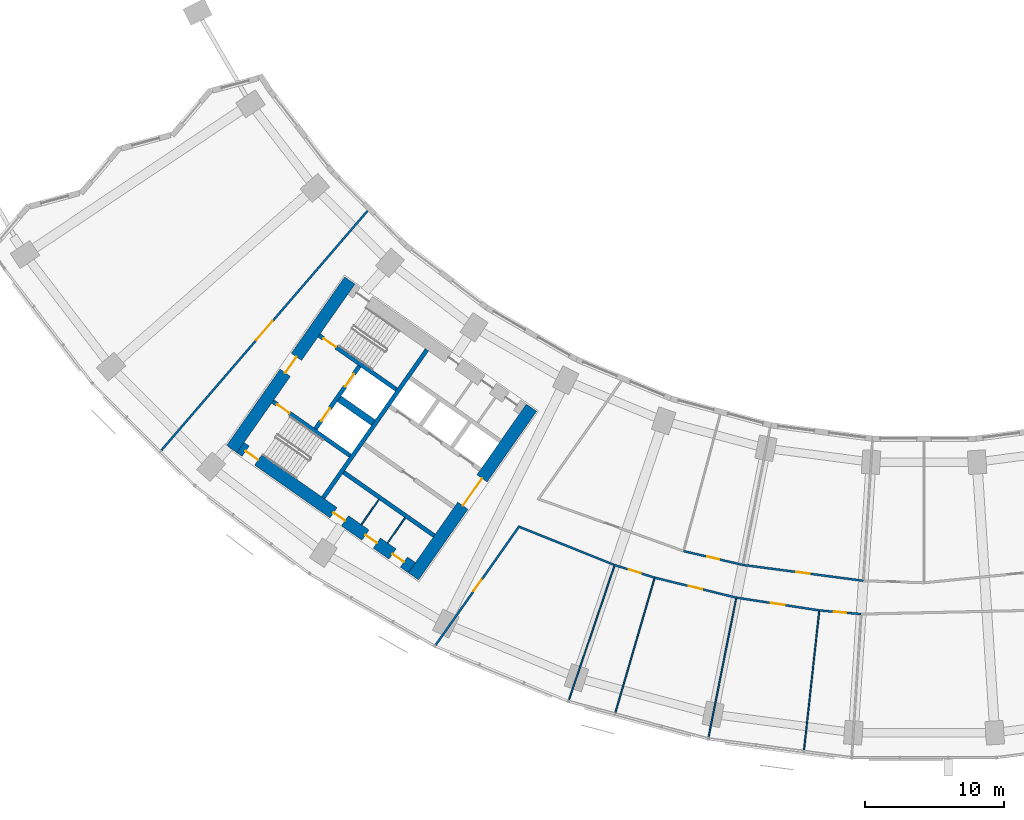
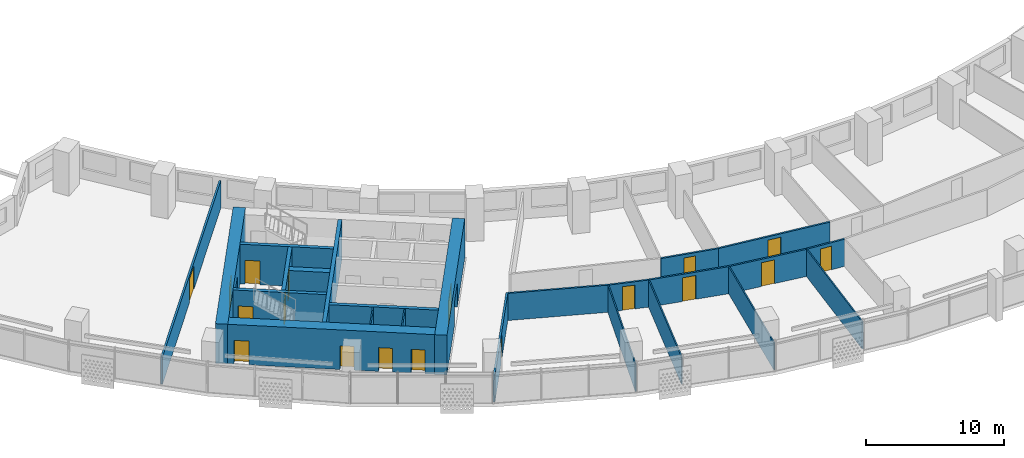
# One storey, part 3 of 29: 24 walls, 18 doors, 18 openings.
"""IFC4 building model written with IfcOpenShell, lengths in metres."""

from ifc_helpers import new_model, si_unit, direction, frame, frame_2d, origin, place, context, subcontext, project, spatial, rectangle, extrude, material, layer, layer_set, type_object, element, fill, save


model = new_model("IFC4")

# Units and contexts
model_context = context("Model", 3, precision=1e-05, world=origin(), true_north=direction((0.0, 1.0)))
body_context = subcontext(model_context, "Body", "Model", "MODEL_VIEW")
ifc_project = project(units=[si_unit("LENGTHUNIT", "METRE"), si_unit("AREAUNIT", "SQUARE_METRE"), si_unit("VOLUMEUNIT", "CUBIC_METRE"), si_unit("PLANEANGLEUNIT", "RADIAN"), si_unit("MASSUNIT", "GRAM", prefix="KILO")], contexts=[model_context])

# Site, building, storey
site_placement = place(None, origin())
site = spatial("IfcSite", under=ifc_project, at=site_placement, CompositionType="ELEMENT")
building_placement = place(site_placement, origin())
building = spatial("IfcBuilding", under=site, at=building_placement, Name="Qamariyya Broadcast Tower", CompositionType="ELEMENT")
storey_placement = place(building_placement, frame((0.0, 0.0, 44.300048828125)))
storey = spatial("IfcBuildingStorey", under=building, at=storey_placement, Name="L07", CompositionType="ELEMENT", Elevation=44.300048828125)

# Wall, opening, door
ifc_material_1 = material(Name="Concrete C70/85", Category="concrete")
ifc_layer_1 = layer(ifc_material_1, 0.89990234375)
ifc_layer_set_1 = layer_set([ifc_layer_1], Name="Core wall 900 mm Concrete C70/85")
wall_type_1 = type_object("IfcWallType", Name="Core wall 900 mm Concrete C70/85", PredefinedType="SHEAR", material=ifc_layer_set_1)
wall_1_placement = place(storey_placement, frame((-36.716796875, -66.3369140625, 0.0), z_axis=(0.0, 0.0, 1.0), x_axis=(0.573577477574, 0.819151315216, 0.0)))
wall_1 = element("IfcWall", 1, at=wall_1_placement, inside=storey, type_object=wall_type_1, Name="k-W-L07-WA", PredefinedType="SHEAR", context=body_context, shape_type="SweptSolid", body=[
    extrude(rectangle(XDim=14.800048828125, YDim=0.89990234375, at=frame_2d((7.39990234375, 0.0))), origin(), (0.0, 0.0, 1.0), 3.5),
])
opening_1_placement = place(wall_1_placement, frame((6.199951171875, 0.0, 0.0)))
opening_1 = element("IfcOpeningElement", 2, at=opening_1_placement, cuts=wall_1, Name="Opening KD3-W1", PredefinedType="OPENING", context=body_context, shape_type="SweptSolid", body=[
    extrude(rectangle(XDim=2.39990234375, YDim=2.10009765625, at=frame_2d((1.199951171875, 1.050048828125))), frame((0.0, 0.4599609375, 0.0), z_axis=(0.0, -1.0, 0.0), x_axis=(1.0, 0.0, 0.0)), (0.0, 0.0, 1.0), 0.919921875),
])
ifc_material_2 = material(Name="Steel fire-resisting door leaf", Category="steel")
door_type_1 = type_object("IfcDoorType", Name="Lift lobby door KD3", OperationType="DOUBLE_DOOR_SINGLE_SWING", PredefinedType="DOOR", material=ifc_material_2)
door_1_placement = place(opening_1_placement, origin())
door_1 = element("IfcDoor", 3, at=door_1_placement, inside=storey, type_object=door_type_1, Name="k-W-L07-WA-D1", OperationType="DOUBLE_DOOR_SINGLE_SWING", OverallHeight=2.10009765625, OverallWidth=2.39990234375, PredefinedType="DOOR", context=body_context, shape_type="SweptSolid", body=[
    extrude(rectangle(XDim=2.39990234375, YDim=2.10009765625, at=frame_2d((1.199951171875, 1.050048828125))), frame((0.0, 0.02490234375, 0.0), z_axis=(0.0, -1.0, 0.0), x_axis=(1.0, 0.0, 0.0)), (0.0, 0.0, 1.0), 0.050048828125),
])
fill(opening_1, door_1)

wall_2_placement = place(storey_placement, frame((-49.778564453125, -57.191162109375, 0.0), z_axis=(0.0, 0.0, 1.0), x_axis=(0.573577477574, 0.819151315216, 0.0)))
wall_2 = element("IfcWall", 4, at=wall_2_placement, inside=storey, type_object=wall_type_1, Name="k-W-L07-WH", PredefinedType="SHEAR", context=body_context, shape_type="SweptSolid", body=[
    extrude(rectangle(XDim=14.800048828125, YDim=0.89990234375, at=frame_2d((7.39990234375, 0.0))), origin(), (0.0, 0.0, 1.0), 3.5),
])
opening_2_placement = place(wall_2_placement, frame((6.699951171875, 0.0, 0.0)))
opening_2 = element("IfcOpeningElement", 5, at=opening_2_placement, cuts=wall_2, Name="Opening KD2-W1", PredefinedType="OPENING", context=body_context, shape_type="SweptSolid", body=[
    extrude(rectangle(XDim=1.39990234375, YDim=2.10009765625, at=frame_2d((0.699951171875, 1.050048828125))), frame((0.0, 0.4599609375, 0.0), z_axis=(0.0, -1.0, 0.0), x_axis=(1.0, 0.0, 0.0)), (0.0, 0.0, 1.0), 0.919921875),
])
door_type_2 = type_object("IfcDoorType", Name="Fire-fighting lobby door KD2", OperationType="DOUBLE_DOOR_SINGLE_SWING", PredefinedType="DOOR", material=ifc_material_2)
door_2_placement = place(opening_2_placement, origin())
door_2 = element("IfcDoor", 6, at=door_2_placement, inside=storey, type_object=door_type_2, Name="k-W-L07-WH-D14", OperationType="DOUBLE_DOOR_SINGLE_SWING", OverallHeight=2.10009765625, OverallWidth=1.39990234375, PredefinedType="DOOR", context=body_context, shape_type="SweptSolid", body=[
    extrude(rectangle(XDim=1.39990234375, YDim=2.10009765625, at=frame_2d((0.699951171875, 1.050048828125))), frame((0.0, 0.02490234375, 0.0), z_axis=(0.0, -1.0, 0.0), x_axis=(1.0, 0.0, 0.0)), (0.0, 0.0, 1.0), 0.050048828125),
])
fill(opening_2, door_2)

# Wall, openings, doors
wall_3_placement = place(storey_placement, frame((-36.827392578125, -65.710205078125, 0.0), z_axis=(0.0, 0.0, 1.0), x_axis=(-0.819153391756, 0.573574511963, 0.0)))
wall_3 = element("IfcWall", 7, at=wall_3_placement, inside=storey, type_object=wall_type_1, Name="k-W-L07-WO", PredefinedType="SHEAR", context=body_context, shape_type="SweptSolid", body=[
    extrude(rectangle(XDim=15.04541015625, YDim=0.89990234375, at=frame_2d((7.522705078125, 0.0))), origin(), (0.0, 0.0, 1.0), 3.5),
])
opening_3_placement = place(wall_3_placement, frame((0.699951171875, 0.0, 0.0)))
opening_3 = element("IfcOpeningElement", 8, at=opening_3_placement, cuts=wall_3, Name="Opening KD6-W3", PredefinedType="OPENING", context=body_context, shape_type="SweptSolid", body=[
    extrude(rectangle(XDim=1.0, YDim=2.10009765625, at=frame_2d((0.5, 1.050048828125))), frame((0.0, 0.4599609375, 0.0), z_axis=(0.0, -1.0, 0.0), x_axis=(1.0, 0.0, 0.0)), (0.0, 0.0, 1.0), 0.919921875),
])
opening_4_placement = place(wall_3_placement, frame((3.074951171875, 0.0, 0.0)))
opening_4 = element("IfcOpeningElement", 9, at=opening_4_placement, cuts=wall_3, Name="Opening KD4-W1", PredefinedType="OPENING", context=body_context, shape_type="SweptSolid", body=[
    extrude(rectangle(XDim=1.0, YDim=2.10009765625, at=frame_2d((0.5, 1.050048828125))), frame((0.0, 0.4599609375, 0.0), z_axis=(0.0, -1.0, 0.0), x_axis=(1.0, 0.0, 0.0)), (0.0, 0.0, 1.0), 0.919921875),
])
opening_5_placement = place(wall_3_placement, frame((5.875, 0.0, 0.0)))
opening_5 = element("IfcOpeningElement", 10, at=opening_5_placement, cuts=wall_3, Name="Opening KD4-W2", PredefinedType="OPENING", context=body_context, shape_type="SweptSolid", body=[
    extrude(rectangle(XDim=1.0, YDim=2.10009765625, at=frame_2d((0.5, 1.050048828125))), frame((0.0, 0.4599609375, 0.0), z_axis=(0.0, -1.0, 0.0), x_axis=(1.0, 0.0, 0.0)), (0.0, 0.0, 1.0), 0.919921875),
])
opening_6_placement = place(wall_3_placement, frame((13.495361328125, 0.0, 0.0)))
opening_6 = element("IfcOpeningElement", 11, at=opening_6_placement, cuts=wall_3, Name="Opening KD1-W3", PredefinedType="OPENING", context=body_context, shape_type="SweptSolid", body=[
    extrude(rectangle(XDim=1.10009765625, YDim=2.10009765625, at=frame_2d((0.550048828125, 1.050048828125))), frame((0.0, 0.4599609375, 0.0), z_axis=(0.0, -1.0, 0.0), x_axis=(1.0, 0.0, 0.0)), (0.0, 0.0, 1.0), 0.919921875),
])
door_type_3 = type_object("IfcDoorType", Name="Core room door KD6", OperationType="SINGLE_SWING_LEFT", PredefinedType="DOOR", material=ifc_material_2)
door_3_placement = place(opening_3_placement, origin())
door_3 = element("IfcDoor", 12, at=door_3_placement, inside=storey, type_object=door_type_3, Name="k-W-L07-WO-D9", OperationType="SINGLE_SWING_RIGHT", OverallHeight=2.10009765625, OverallWidth=1.0, PredefinedType="DOOR", context=body_context, shape_type="SweptSolid", body=[
    extrude(rectangle(XDim=1.0, YDim=2.10009765625, at=frame_2d((0.5, 1.050048828125))), frame((0.0, 0.02490234375, 0.0), z_axis=(0.0, -1.0, 0.0), x_axis=(1.0, 0.0, 0.0)), (0.0, 0.0, 1.0), 0.050048828125),
])
fill(opening_3, door_3)
door_type_4 = type_object("IfcDoorType", Name="Riser and plant door KD4", OperationType="SINGLE_SWING_LEFT", PredefinedType="DOOR", material=ifc_material_2)
door_4_placement = place(opening_4_placement, origin())
door_4 = element("IfcDoor", 13, at=door_4_placement, inside=storey, type_object=door_type_4, Name="k-W-L07-WO-D10", OperationType="SINGLE_SWING_LEFT", OverallHeight=2.10009765625, OverallWidth=1.0, PredefinedType="DOOR", context=body_context, shape_type="SweptSolid", body=[
    extrude(rectangle(XDim=1.0, YDim=2.10009765625, at=frame_2d((0.5, 1.050048828125))), frame((0.0, 0.02490234375, 0.0), z_axis=(0.0, -1.0, 0.0), x_axis=(1.0, 0.0, 0.0)), (0.0, 0.0, 1.0), 0.050048828125),
])
fill(opening_4, door_4)
door_5_placement = place(opening_5_placement, origin())
door_5 = element("IfcDoor", 14, at=door_5_placement, inside=storey, type_object=door_type_4, Name="k-W-L07-WO-D11", OperationType="SINGLE_SWING_RIGHT", OverallHeight=2.10009765625, OverallWidth=1.0, PredefinedType="DOOR", context=body_context, shape_type="SweptSolid", body=[
    extrude(rectangle(XDim=1.0, YDim=2.10009765625, at=frame_2d((0.5, 1.050048828125))), frame((0.0, 0.02490234375, 0.0), z_axis=(0.0, -1.0, 0.0), x_axis=(1.0, 0.0, 0.0)), (0.0, 0.0, 1.0), 0.050048828125),
])
fill(opening_5, door_5)
door_type_5 = type_object("IfcDoorType", Name="Stair door KD1", OperationType="SINGLE_SWING_LEFT", PredefinedType="DOOR", material=ifc_material_2)
door_6_placement = place(opening_6_placement, origin())
door_6 = element("IfcDoor", 15, at=door_6_placement, inside=storey, type_object=door_type_5, Name="k-W-L07-WO-D17", OperationType="SINGLE_SWING_LEFT", OverallHeight=2.10009765625, OverallWidth=1.10009765625, PredefinedType="DOOR", context=body_context, shape_type="SweptSolid", body=[
    extrude(rectangle(XDim=1.10009765625, YDim=2.10009765625, at=frame_2d((0.550048828125, 1.050048828125))), frame((0.0, 0.02490234375, 0.0), z_axis=(0.0, -1.0, 0.0), x_axis=(1.0, 0.0, 0.0)), (0.0, 0.0, 1.0), 0.050048828125),
])
fill(opening_6, door_6)

# Wall, opening, door
ifc_material_3 = material(Name="Gypsum board partition")
ifc_layer_2 = layer(ifc_material_3, 0.14990234375)
ifc_layer_set_2 = layer_set([ifc_layer_2], Name="Corridor partition 150 EI 60")
wall_type_2 = type_object("IfcWallType", Name="Corridor partition 150 EI 60", PredefinedType="PARTITIONING", material=ifc_layer_set_2)
wall_4_placement = place(storey_placement, frame((-54.842041015625, -57.27685546875, 0.0), z_axis=(0.0, 0.0, 1.0), x_axis=(0.652471531746, 0.757813235739, 0.0)))
wall_4 = element("IfcWall", 16, at=wall_4_placement, inside=storey, type_object=wall_type_2, Name="Partition L07-001", PredefinedType="PARTITIONING", context=body_context, shape_type="SweptSolid", body=[
    extrude(rectangle(XDim=22.71484375, YDim=0.14990234375, at=frame_2d((11.357421875, 0.0))), origin(), (0.0, 0.0, 1.0), 2.39990234375),
])
opening_7_placement = place(wall_4_placement, frame((10.45751953125, 0.0, 0.0)))
opening_7 = element("IfcOpeningElement", 17, at=opening_7_placement, cuts=wall_4, Name="Opening L07-D15", PredefinedType="OPENING", context=body_context, shape_type="SweptSolid", body=[
    extrude(rectangle(XDim=1.800048828125, YDim=2.10009765625, at=frame_2d((0.89990234375, 1.050048828125))), frame((0.0, 0.0849609375, 0.0), z_axis=(0.0, -1.0, 0.0), x_axis=(1.0, 0.0, 0.0)), (0.0, 0.0, 1.0), 0.169921875),
])
ifc_material_4 = material(Name="Timber fire door leaf", Category="wood")
door_type_6 = type_object("IfcDoorType", Name="Double fire door 1800 x 2100 FD60", OperationType="NOTDEFINED", PredefinedType="DOOR", material=ifc_material_4)
door_7_placement = place(opening_7_placement, origin())
door_7 = element("IfcDoor", 18, at=door_7_placement, inside=storey, type_object=door_type_6, Name="Door L07-D15", OperationType="DOUBLE_DOOR_SINGLE_SWING", OverallHeight=2.10009765625, OverallWidth=1.800048828125, PredefinedType="DOOR", context=body_context, shape_type="SweptSolid", body=[
    extrude(rectangle(XDim=1.800048828125, YDim=2.10009765625, at=frame_2d((0.89990234375, 1.050048828125))), frame((0.0, 0.02490234375, 0.0), z_axis=(0.0, -1.0, 0.0), x_axis=(1.0, 0.0, 0.0)), (0.0, 0.0, 1.0), 0.050048828125),
])
fill(opening_7, door_7)

wall_5_placement = place(storey_placement, frame((-29.087890625, -62.708251953125, 0.0), z_axis=(0.0, 0.0, 1.0), x_axis=(-0.575411972256, -0.817863718589, 0.0)))
wall_5 = element("IfcWall", 19, at=wall_5_placement, inside=storey, type_object=wall_type_2, Name="Partition L07-002", PredefinedType="PARTITIONING", context=body_context, shape_type="SweptSolid", body=[
    extrude(rectangle(XDim=10.471435546875, YDim=0.14990234375, at=frame_2d((5.23583984375, 0.0))), origin(), (0.0, 0.0, 1.0), 2.39990234375),
])
opening_8_placement = place(wall_5_placement, frame((4.735595703125, 0.0, 0.0)))
opening_8 = element("IfcOpeningElement", 20, at=opening_8_placement, cuts=wall_5, Name="Opening L07-D01", PredefinedType="OPENING", context=body_context, shape_type="SweptSolid", body=[
    extrude(rectangle(XDim=1.0, YDim=2.10009765625, at=frame_2d((0.5, 1.050048828125))), frame((0.0, 0.0849609375, 0.0), z_axis=(0.0, -1.0, 0.0), x_axis=(1.0, 0.0, 0.0)), (0.0, 0.0, 1.0), 0.169921875),
])
door_type_7 = type_object("IfcDoorType", Name="Fire door 1000 x 2100 FD60", OperationType="NOTDEFINED", PredefinedType="DOOR", material=ifc_material_4)
door_8_placement = place(opening_8_placement, origin())
door_8 = element("IfcDoor", 21, at=door_8_placement, inside=storey, type_object=door_type_7, Name="Door L07-D01", OperationType="SINGLE_SWING_RIGHT", OverallHeight=2.10009765625, OverallWidth=1.0, PredefinedType="DOOR", context=body_context, shape_type="SweptSolid", body=[
    extrude(rectangle(XDim=1.0, YDim=2.10009765625, at=frame_2d((0.5, 1.050048828125))), frame((0.0, 0.02490234375, 0.0), z_axis=(0.0, -1.0, 0.0), x_axis=(1.0, 0.0, 0.0)), (0.0, 0.0, 1.0), 0.050048828125),
])
fill(opening_8, door_8)

# Wall
wall_6_placement = place(storey_placement, frame((-29.061279296875, -62.797607421875, 0.0), z_axis=(0.0, 0.0, 1.0), x_axis=(0.928339065762, -0.371734554462, 0.0)))
element("IfcWall", 22, at=wall_6_placement, inside=storey, type_object=wall_type_2, Name="Partition L07-003", PredefinedType="PARTITIONING", context=body_context, shape_type="SweptSolid", body=[
    extrude(rectangle(XDim=7.343994140625, YDim=0.14990234375, at=frame_2d((3.671875, 0.0))), origin(), (0.0, 0.0, 1.0), 2.39990234375),
])

# Wall, opening, door
wall_7_placement = place(storey_placement, frame((-19.365966796875, -66.434814453125, 0.0), z_axis=(0.0, 0.0, 1.0), x_axis=(-0.953726854704, 0.300674386365, 0.0)))
wall_7 = element("IfcWall", 23, at=wall_7_placement, inside=storey, type_object=wall_type_2, Name="Partition L07-007", PredefinedType="PARTITIONING", context=body_context, shape_type="SweptSolid", body=[
    extrude(rectangle(XDim=3.017333984375, YDim=0.14990234375, at=frame_2d((1.5087890625, 0.0))), origin(), (0.0, 0.0, 1.0), 2.39990234375),
])
opening_9_placement = place(wall_7_placement, frame((1.05859375, 0.0, 0.0)))
opening_9 = element("IfcOpeningElement", 24, at=opening_9_placement, cuts=wall_7, Name="Opening L07-D02", PredefinedType="OPENING", context=body_context, shape_type="SweptSolid", body=[
    extrude(rectangle(XDim=0.89990234375, YDim=2.10009765625, at=frame_2d((0.449951171875, 1.050048828125))), frame((0.0, 0.0849609375, 0.0), z_axis=(0.0, -1.0, 0.0), x_axis=(1.0, 0.0, 0.0)), (0.0, 0.0, 1.0), 0.169921875),
])
door_type_8 = type_object("IfcDoorType", Name="Fire door 900 x 2100 FD60", OperationType="NOTDEFINED", PredefinedType="DOOR", material=ifc_material_4)
door_9_placement = place(opening_9_placement, origin())
door_9 = element("IfcDoor", 25, at=door_9_placement, inside=storey, type_object=door_type_8, Name="Door L07-D02", OperationType="SINGLE_SWING_RIGHT", OverallHeight=2.10009765625, OverallWidth=0.89990234375, PredefinedType="DOOR", context=body_context, shape_type="SweptSolid", body=[
    extrude(rectangle(XDim=0.89990234375, YDim=2.10009765625, at=frame_2d((0.449951171875, 1.050048828125))), frame((0.0, 0.02490234375, 0.0), z_axis=(0.0, -1.0, 0.0), x_axis=(1.0, 0.0, 0.0)), (0.0, 0.0, 1.0), 0.050048828125),
])
fill(opening_9, door_9)

wall_8_placement = place(storey_placement, frame((-13.500244140625, -67.870361328125, 0.0), z_axis=(0.0, 0.0, 1.0), x_axis=(-0.971333900191, 0.237719276331, 0.0)))
wall_8 = element("IfcWall", 26, at=wall_8_placement, inside=storey, type_object=wall_type_2, Name="Partition L07-009", PredefinedType="PARTITIONING", context=body_context, shape_type="SweptSolid", body=[
    extrude(rectangle(XDim=6.038818359375, YDim=0.14990234375, at=frame_2d((3.01953125, 0.0))), origin(), (0.0, 0.0, 1.0), 2.39990234375),
])
opening_10_placement = place(wall_8_placement, frame((2.51953125, 0.0, 0.0)))
opening_10 = element("IfcOpeningElement", 27, at=opening_10_placement, cuts=wall_8, Name="Opening L07-D03", PredefinedType="OPENING", context=body_context, shape_type="SweptSolid", body=[
    extrude(rectangle(XDim=1.0, YDim=2.10009765625, at=frame_2d((0.5, 1.050048828125))), frame((0.0, 0.0849609375, 0.0), z_axis=(0.0, -1.0, 0.0), x_axis=(1.0, 0.0, 0.0)), (0.0, 0.0, 1.0), 0.169921875),
])
door_10_placement = place(opening_10_placement, origin())
door_10 = element("IfcDoor", 28, at=door_10_placement, inside=storey, type_object=door_type_7, Name="Door L07-D03", OperationType="SINGLE_SWING_RIGHT", OverallHeight=2.10009765625, OverallWidth=1.0, PredefinedType="DOOR", context=body_context, shape_type="SweptSolid", body=[
    extrude(rectangle(XDim=1.0, YDim=2.10009765625, at=frame_2d((0.5, 1.050048828125))), frame((0.0, 0.02490234375, 0.0), z_axis=(0.0, -1.0, 0.0), x_axis=(1.0, 0.0, 0.0)), (0.0, 0.0, 1.0), 0.050048828125),
])
fill(opening_10, door_10)

wall_9_placement = place(storey_placement, frame((-17.2890625, -64.52392578125, 0.0), z_axis=(0.0, 0.0, 1.0), x_axis=(0.973886095728, -0.227037161159, 0.0)))
wall_9 = element("IfcWall", 29, at=wall_9_placement, inside=storey, type_object=wall_type_2, Name="Partition L07-010", PredefinedType="PARTITIONING", context=body_context, shape_type="SweptSolid", body=[
    extrude(rectangle(XDim=4.371337890625, YDim=0.14990234375, at=frame_2d((2.185546875, 0.0))), origin(), (0.0, 0.0, 1.0), 2.39990234375),
])
opening_11_placement = place(wall_9_placement, frame((1.735595703125, 0.0, 0.0)))
opening_11 = element("IfcOpeningElement", 30, at=opening_11_placement, cuts=wall_9, Name="Opening L07-D09", PredefinedType="OPENING", context=body_context, shape_type="SweptSolid", body=[
    extrude(rectangle(XDim=0.89990234375, YDim=2.10009765625, at=frame_2d((0.449951171875, 1.050048828125))), frame((0.0, 0.0849609375, 0.0), z_axis=(0.0, -1.0, 0.0), x_axis=(1.0, 0.0, 0.0)), (0.0, 0.0, 1.0), 0.169921875),
])
door_11_placement = place(opening_11_placement, origin())
door_11 = element("IfcDoor", 31, at=door_11_placement, inside=storey, type_object=door_type_8, Name="Door L07-D09", OperationType="SINGLE_SWING_RIGHT", OverallHeight=2.10009765625, OverallWidth=0.89990234375, PredefinedType="DOOR", context=body_context, shape_type="SweptSolid", body=[
    extrude(rectangle(XDim=0.89990234375, YDim=2.10009765625, at=frame_2d((0.449951171875, 1.050048828125))), frame((0.0, 0.02490234375, 0.0), z_axis=(0.0, -1.0, 0.0), x_axis=(1.0, 0.0, 0.0)), (0.0, 0.0, 1.0), 0.050048828125),
])
fill(opening_11, door_11)

wall_10_placement = place(storey_placement, frame((-7.53173828125, -68.788818359375, 0.0), z_axis=(0.0, 0.0, 1.0), x_axis=(-0.98836608834, 0.152093640297, 0.0)))
wall_10 = element("IfcWall", 32, at=wall_10_placement, inside=storey, type_object=wall_type_2, Name="Partition L07-013", PredefinedType="PARTITIONING", context=body_context, shape_type="SweptSolid", body=[
    extrude(rectangle(XDim=6.038818359375, YDim=0.14990234375, at=frame_2d((3.01953125, 0.0))), origin(), (0.0, 0.0, 1.0), 2.39990234375),
])
opening_12_placement = place(wall_10_placement, frame((2.51953125, 0.0, 0.0)))
opening_12 = element("IfcOpeningElement", 33, at=opening_12_placement, cuts=wall_10, Name="Opening L07-D04", PredefinedType="OPENING", context=body_context, shape_type="SweptSolid", body=[
    extrude(rectangle(XDim=1.0, YDim=2.10009765625, at=frame_2d((0.5, 1.050048828125))), frame((0.0, 0.0849609375, 0.0), z_axis=(0.0, -1.0, 0.0), x_axis=(1.0, 0.0, 0.0)), (0.0, 0.0, 1.0), 0.169921875),
])
door_12_placement = place(opening_12_placement, origin())
door_12 = element("IfcDoor", 34, at=door_12_placement, inside=storey, type_object=door_type_7, Name="Door L07-D04", OperationType="SINGLE_SWING_RIGHT", OverallHeight=2.10009765625, OverallWidth=1.0, PredefinedType="DOOR", context=body_context, shape_type="SweptSolid", body=[
    extrude(rectangle(XDim=1.0, YDim=2.10009765625, at=frame_2d((0.5, 1.050048828125))), frame((0.0, 0.02490234375, 0.0), z_axis=(0.0, -1.0, 0.0), x_axis=(1.0, 0.0, 0.0)), (0.0, 0.0, 1.0), 0.050048828125),
])
fill(opening_12, door_12)

wall_11_placement = place(storey_placement, frame((-13.031982421875, -65.516357421875, 0.0), z_axis=(0.0, 0.0, 1.0), x_axis=(0.991443260322, -0.130538352841, 0.0)))
wall_11 = element("IfcWall", 35, at=wall_11_placement, inside=storey, type_object=wall_type_2, Name="Partition L07-014", PredefinedType="PARTITIONING", context=body_context, shape_type="SweptSolid", body=[
    extrude(rectangle(XDim=8.73779296875, YDim=0.14990234375, at=frame_2d((4.368896484375, 0.0))), origin(), (0.0, 0.0, 1.0), 2.39990234375),
])
opening_13_placement = place(wall_11_placement, frame((3.868896484375, 0.0, 0.0)))
opening_13 = element("IfcOpeningElement", 36, at=opening_13_placement, cuts=wall_11, Name="Opening L07-D10", PredefinedType="OPENING", context=body_context, shape_type="SweptSolid", body=[
    extrude(rectangle(XDim=1.0, YDim=2.10009765625, at=frame_2d((0.5, 1.050048828125))), frame((0.0, 0.0849609375, 0.0), z_axis=(0.0, -1.0, 0.0), x_axis=(1.0, 0.0, 0.0)), (0.0, 0.0, 1.0), 0.169921875),
])
door_13_placement = place(opening_13_placement, origin())
door_13 = element("IfcDoor", 37, at=door_13_placement, inside=storey, type_object=door_type_7, Name="Door L07-D10", OperationType="SINGLE_SWING_RIGHT", OverallHeight=2.10009765625, OverallWidth=1.0, PredefinedType="DOOR", context=body_context, shape_type="SweptSolid", body=[
    extrude(rectangle(XDim=1.0, YDim=2.10009765625, at=frame_2d((0.5, 1.050048828125))), frame((0.0, 0.02490234375, 0.0), z_axis=(0.0, -1.0, 0.0), x_axis=(1.0, 0.0, 0.0)), (0.0, 0.0, 1.0), 0.050048828125),
])
fill(opening_13, door_13)

wall_12_placement = place(storey_placement, frame((-4.52587890625, -69.0517578125, 0.0), z_axis=(0.0, 0.0, 1.0), x_axis=(-0.996195825022, 0.087142860912, 0.0)))
wall_12 = element("IfcWall", 38, at=wall_12_placement, inside=storey, type_object=wall_type_2, Name="Partition L07-017", PredefinedType="PARTITIONING", context=body_context, shape_type="SweptSolid", body=[
    extrude(rectangle(XDim=3.017333984375, YDim=0.14990234375, at=frame_2d((1.5087890625, 0.0))), origin(), (0.0, 0.0, 1.0), 2.39990234375),
])
opening_14_placement = place(wall_12_placement, frame((1.05859375, 0.0, 0.0)))
opening_14 = element("IfcOpeningElement", 39, at=opening_14_placement, cuts=wall_12, Name="Opening L07-D05", PredefinedType="OPENING", context=body_context, shape_type="SweptSolid", body=[
    extrude(rectangle(XDim=0.89990234375, YDim=2.10009765625, at=frame_2d((0.449951171875, 1.050048828125))), frame((0.0, 0.0849609375, 0.0), z_axis=(0.0, -1.0, 0.0), x_axis=(1.0, 0.0, 0.0)), (0.0, 0.0, 1.0), 0.169921875),
])
door_14_placement = place(opening_14_placement, origin())
door_14 = element("IfcDoor", 40, at=door_14_placement, inside=storey, type_object=door_type_8, Name="Door L07-D05", OperationType="SINGLE_SWING_RIGHT", OverallHeight=2.10009765625, OverallWidth=0.89990234375, PredefinedType="DOOR", context=body_context, shape_type="SweptSolid", body=[
    extrude(rectangle(XDim=0.89990234375, YDim=2.10009765625, at=frame_2d((0.449951171875, 1.050048828125))), frame((0.0, 0.02490234375, 0.0), z_axis=(0.0, -1.0, 0.0), x_axis=(1.0, 0.0, 0.0)), (0.0, 0.0, 1.0), 0.050048828125),
])
fill(opening_14, door_14)

# Walls
ifc_material_5 = material(Name="Concrete C60/75", Category="concrete")
ifc_layer_3 = layer(ifc_material_5, 0.5)
ifc_layer_set_3 = layer_set([ifc_layer_3], Name="Fire-fighting lobby divider wall 500 mm Concrete C60/75")
wall_type_3 = type_object("IfcWallType", Name="Fire-fighting lobby divider wall 500 mm Concrete C60/75", PredefinedType="SOLIDWALL", material=ifc_layer_set_3)
wall_13_placement = place(storey_placement, frame((-39.59912109375, -55.28515625, 0.0), z_axis=(0.0, 0.0, 1.0), x_axis=(-0.819136323161, 0.573598887793, 0.0)))
element("IfcWall", 41, at=wall_13_placement, inside=storey, type_object=wall_type_3, Name="k-W-L07-FD", PredefinedType="SOLIDWALL", context=body_context, shape_type="SweptSolid", body=[
    extrude(rectangle(XDim=2.999755859375, YDim=0.5, at=frame_2d((1.5, 0.0))), origin(), (0.0, 0.0, 1.0), 3.5),
])
ifc_layer_4 = layer(ifc_material_5, 0.300048828125)
ifc_layer_set_4 = layer_set([ifc_layer_4], Name="Lift shaft wall 300 mm Concrete C60/75")
wall_type_4 = type_object("IfcWallType", Name="Lift shaft wall 300 mm Concrete C60/75", PredefinedType="SOLIDWALL", material=ifc_layer_set_4)
wall_14_placement = place(storey_placement, frame((-43.204345703125, -60.69580078125, 0.0), z_axis=(0.0, 0.0, 1.0), x_axis=(0.573571992966, 0.819155155563, 0.0)))
element("IfcWall", 42, at=wall_14_placement, inside=storey, type_object=wall_type_4, Name="k-W-L07-WL", PredefinedType="SOLIDWALL", context=body_context, shape_type="SweptSolid", body=[
    extrude(rectangle(XDim=13.000244140625, YDim=0.300048828125, at=frame_2d((6.5, 0.0))), origin(), (0.0, 0.0, 1.0), 3.5),
])
wall_15_placement = place(storey_placement, frame((-35.22119140625, -63.41650390625, 0.0), z_axis=(0.0, 0.0, 1.0), x_axis=(-0.819166993208, 0.573555086491, 0.0)))
element("IfcWall", 43, at=wall_15_placement, inside=storey, type_object=wall_type_4, Name="k-W-L07-SB0", PredefinedType="SOLIDWALL", context=body_context, shape_type="SweptSolid", body=[
    extrude(rectangle(XDim=7.9501953125, YDim=0.300048828125, at=frame_2d((3.97509765625, 0.0))), origin(), (0.0, 0.0, 1.0), 3.5),
])

# Wall, opening, door
wall_16_placement = place(storey_placement, frame((-37.935546875, -52.90966796875, 0.0), z_axis=(0.0, 0.0, 1.0), x_axis=(-0.819147518138, 0.57358290031, 0.0)))
wall_16 = element("IfcWall", 44, at=wall_16_placement, inside=storey, type_object=wall_type_4, Name="k-W-L07-NW", PredefinedType="SOLIDWALL", context=body_context, shape_type="SweptSolid", body=[
    extrude(rectangle(XDim=6.79541015625, YDim=0.300048828125, at=frame_2d((3.397705078125, 0.0))), origin(), (0.0, 0.0, 1.0), 3.5),
])
opening_15_placement = place(wall_16_placement, frame((5.3203125, 0.0, 0.0)))
opening_15 = element("IfcOpeningElement", 45, at=opening_15_placement, cuts=wall_16, Name="Opening KD1-W2", PredefinedType="OPENING", context=body_context, shape_type="SweptSolid", body=[
    extrude(rectangle(XDim=1.10009765625, YDim=2.10009765625, at=frame_2d((0.550048828125, 1.050048828125))), frame((0.0, 0.159912109375, 0.0), z_axis=(0.0, -1.0, 0.0), x_axis=(1.0, 0.0, 0.0)), (0.0, 0.0, 1.0), 0.320068359375),
])
door_15_placement = place(opening_15_placement, origin())
door_15 = element("IfcDoor", 46, at=door_15_placement, inside=storey, type_object=door_type_5, Name="k-W-L07-NW-D16", OperationType="SINGLE_SWING_LEFT", OverallHeight=2.10009765625, OverallWidth=1.10009765625, PredefinedType="DOOR", context=body_context, shape_type="SweptSolid", body=[
    extrude(rectangle(XDim=1.10009765625, YDim=2.10009765625, at=frame_2d((0.550048828125, 1.050048828125))), frame((0.0, 0.02490234375, 0.0), z_axis=(0.0, -1.0, 0.0), x_axis=(1.0, 0.0, 0.0)), (0.0, 0.0, 1.0), 0.050048828125),
])
fill(opening_15, door_15)

wall_17_placement = place(storey_placement, frame((-41.262451171875, -57.66064453125, 0.0), z_axis=(0.0, 0.0, 1.0), x_axis=(-0.819164398642, 0.573558792102, 0.0)))
wall_17 = element("IfcWall", 47, at=wall_17_placement, inside=storey, type_object=wall_type_4, Name="k-W-L07-SW", PredefinedType="SOLIDWALL", context=body_context, shape_type="SweptSolid", body=[
    extrude(rectangle(XDim=6.795166015625, YDim=0.300048828125, at=frame_2d((3.3974609375, 0.0))), origin(), (0.0, 0.0, 1.0), 3.5),
])
opening_16_placement = place(wall_17_placement, frame((5.3203125, 0.0, 0.0)))
opening_16 = element("IfcOpeningElement", 48, at=opening_16_placement, cuts=wall_17, Name="Opening KD1-W4", PredefinedType="OPENING", context=body_context, shape_type="SweptSolid", body=[
    extrude(rectangle(XDim=1.10009765625, YDim=2.10009765625, at=frame_2d((0.550048828125, 1.050048828125))), frame((0.0, 0.159912109375, 0.0), z_axis=(0.0, -1.0, 0.0), x_axis=(1.0, 0.0, 0.0)), (0.0, 0.0, 1.0), 0.320068359375),
])
door_16_placement = place(opening_16_placement, origin())
door_16 = element("IfcDoor", 49, at=door_16_placement, inside=storey, type_object=door_type_5, Name="k-W-L07-SW-D18", OperationType="SINGLE_SWING_LEFT", OverallHeight=2.10009765625, OverallWidth=1.10009765625, PredefinedType="DOOR", context=body_context, shape_type="SweptSolid", body=[
    extrude(rectangle(XDim=1.10009765625, YDim=2.10009765625, at=frame_2d((0.550048828125, 1.050048828125))), frame((0.0, 0.02490234375, 0.0), z_axis=(0.0, -1.0, 0.0), x_axis=(1.0, 0.0, 0.0)), (0.0, 0.0, 1.0), 0.050048828125),
])
fill(opening_16, door_16)

# Wall, openings, doors
wall_18_placement = place(storey_placement, frame((-43.756591796875, -55.731201171875, 0.0), z_axis=(0.0, 0.0, 1.0), x_axis=(0.573536818435, 0.819179783625, 0.0)))
wall_18 = element("IfcWall", 50, at=wall_18_placement, inside=storey, type_object=wall_type_4, Name="k-W-L07-FF", PredefinedType="SOLIDWALL", context=body_context, shape_type="SweptSolid", body=[
    extrude(rectangle(XDim=5.500244140625, YDim=0.300048828125, at=frame_2d((2.75, 0.0))), origin(), (0.0, 0.0, 1.0), 3.5),
])
opening_17_placement = place(wall_18_placement, frame((0.699951171875, 0.0, 0.0)))
opening_17 = element("IfcOpeningElement", 51, at=opening_17_placement, cuts=wall_18, Name="Opening LD", PredefinedType="OPENING", context=body_context, shape_type="SweptSolid", body=[
    extrude(rectangle(XDim=1.10009765625, YDim=2.10009765625, at=frame_2d((0.550048828125, 1.050048828125))), frame((0.0, 0.159912109375, 0.0), z_axis=(0.0, -1.0, 0.0), x_axis=(1.0, 0.0, 0.0)), (0.0, 0.0, 1.0), 0.320068359375),
])
opening_18_placement = place(wall_18_placement, frame((3.699951171875, 0.0, 0.0)))
opening_18 = element("IfcOpeningElement", 52, at=opening_18_placement, cuts=wall_18, Name="Opening LD", PredefinedType="OPENING", context=body_context, shape_type="SweptSolid", body=[
    extrude(rectangle(XDim=1.10009765625, YDim=2.10009765625, at=frame_2d((0.550048828125, 1.050048828125))), frame((0.0, 0.159912109375, 0.0), z_axis=(0.0, -1.0, 0.0), x_axis=(1.0, 0.0, 0.0)), (0.0, 0.0, 1.0), 0.320068359375),
])
door_type_9 = type_object("IfcDoorType", Name="Lift landing door LD", OperationType="DOUBLE_DOOR_SLIDING", PredefinedType="DOOR", material=ifc_material_2)
door_17_placement = place(opening_17_placement, origin())
door_17 = element("IfcDoor", 53, at=door_17_placement, inside=storey, type_object=door_type_9, Name="k-W-L07-FF-D12", OperationType="DOUBLE_DOOR_SLIDING", OverallHeight=2.10009765625, OverallWidth=1.10009765625, PredefinedType="DOOR", context=body_context, shape_type="SweptSolid", body=[
    extrude(rectangle(XDim=1.10009765625, YDim=2.10009765625, at=frame_2d((0.550048828125, 1.050048828125))), frame((0.0, 0.02490234375, 0.0), z_axis=(0.0, -1.0, 0.0), x_axis=(1.0, 0.0, 0.0)), (0.0, 0.0, 1.0), 0.050048828125),
])
fill(opening_17, door_17)
door_18_placement = place(opening_18_placement, origin())
door_18 = element("IfcDoor", 54, at=door_18_placement, inside=storey, type_object=door_type_9, Name="k-W-L07-FF-D13", OperationType="DOUBLE_DOOR_SLIDING", OverallHeight=2.10009765625, OverallWidth=1.10009765625, PredefinedType="DOOR", context=body_context, shape_type="SweptSolid", body=[
    extrude(rectangle(XDim=1.10009765625, YDim=2.10009765625, at=frame_2d((0.550048828125, 1.050048828125))), frame((0.0, 0.02490234375, 0.0), z_axis=(0.0, -1.0, 0.0), x_axis=(1.0, 0.0, 0.0)), (0.0, 0.0, 1.0), 0.050048828125),
])
fill(opening_18, door_18)

# Walls
ifc_layer_5 = layer(ifc_material_3, 0.10009765625)
ifc_layer_set_5 = layer_set([ifc_layer_5], Name="Partition 100")
wall_type_5 = type_object("IfcWallType", Name="Partition 100", PredefinedType="PARTITIONING", material=ifc_layer_set_5)
wall_19_placement = place(storey_placement, frame((-25.538330078125, -75.233642578125, 0.0), z_axis=(0.0, 0.0, 1.0), x_axis=(0.32142736677, 0.946934236308, 0.0)))
element("IfcWall", 55, at=wall_19_placement, inside=storey, type_object=wall_type_5, Name="Partition L07-005", PredefinedType="PARTITIONING", context=body_context, shape_type="SweptSolid", body=[
    extrude(rectangle(XDim=10.175048828125, YDim=0.10009765625, at=frame_2d((5.08740234375, 0.0))), origin(), (0.0, 0.0, 1.0), 2.39990234375),
])
wall_20_placement = place(storey_placement, frame((-22.192138671875, -76.1298828125, 0.0), z_axis=(0.0, 0.0, 1.0), x_axis=(0.279857832074, 0.960041454223, 0.0)))
element("IfcWall", 56, at=wall_20_placement, inside=storey, type_object=wall_type_5, Name="Partition L07-006", PredefinedType="PARTITIONING", context=body_context, shape_type="SweptSolid", body=[
    extrude(rectangle(XDim=10.023681640625, YDim=0.10009765625, at=frame_2d((5.01171875, 0.0))), origin(), (0.0, 0.0, 1.0), 2.39990234375),
])
wall_21_placement = place(storey_placement, frame((-15.5, -77.92333984375, 0.0), z_axis=(0.0, 0.0, 1.0), x_axis=(0.195096278525, 0.980784095561, 0.0)))
element("IfcWall", 57, at=wall_21_placement, inside=storey, type_object=wall_type_5, Name="Partition L07-011", PredefinedType="PARTITIONING", context=body_context, shape_type="SweptSolid", body=[
    extrude(rectangle(XDim=10.175048828125, YDim=0.10009765625, at=frame_2d((5.08740234375, 0.0))), origin(), (0.0, 0.0, 1.0), 2.39990234375),
])
wall_22_placement = place(storey_placement, frame((-8.630859375, -78.827392578125, 0.0), z_axis=(0.0, 0.0, 1.0), x_axis=(0.108851448718, 0.994058027538, 0.0)))
element("IfcWall", 58, at=wall_22_placement, inside=storey, type_object=wall_type_5, Name="Partition L07-016", PredefinedType="PARTITIONING", context=body_context, shape_type="SweptSolid", body=[
    extrude(rectangle(XDim=10.0234375, YDim=0.10009765625, at=frame_2d((5.01171875, 0.0))), origin(), (0.0, 0.0, 1.0), 2.39990234375),
])
ifc_material_6 = material(Name="Fire-rated gypsum shaft liner on steel studs", Category="steel")
ifc_layer_6 = layer(ifc_material_6, 0.10009765625)
ifc_layer_set_6 = layer_set([ifc_layer_6], Name="Riser wall 100 mm")
wall_type_6 = type_object("IfcWallType", Name="Riser wall 100 mm", PredefinedType="PLUMBINGWALL", material=ifc_layer_set_6)
wall_23_placement = place(storey_placement, frame((-37.314208984375, -62.13427734375, 0.0), z_axis=(0.0, 0.0, 1.0), x_axis=(-0.573633636671, -0.819111989218, 0.0)))
element("IfcWall", 59, at=wall_23_placement, inside=storey, type_object=wall_type_6, Name="k-W-L07-SP245", PredefinedType="PLUMBINGWALL", context=body_context, shape_type="SweptSolid", body=[
    extrude(rectangle(XDim=2.199951171875, YDim=0.10009765625, at=frame_2d((1.10009765625, 0.0))), origin(), (0.0, 0.0, 1.0), 3.5),
])
wall_24_placement = place(storey_placement, frame((-39.1982421875, -60.81494140625, 0.0), z_axis=(0.0, 0.0, 1.0), x_axis=(-0.573581496053, -0.819148501424, 0.0)))
element("IfcWall", 60, at=wall_24_placement, inside=storey, type_object=wall_type_6, Name="k-W-L07-SP475", PredefinedType="PLUMBINGWALL", context=body_context, shape_type="SweptSolid", body=[
    extrude(rectangle(XDim=2.2001953125, YDim=0.10009765625, at=frame_2d((1.10009765625, 0.0))), origin(), (0.0, 0.0, 1.0), 3.5),
])

save(model, "model.ifc")
